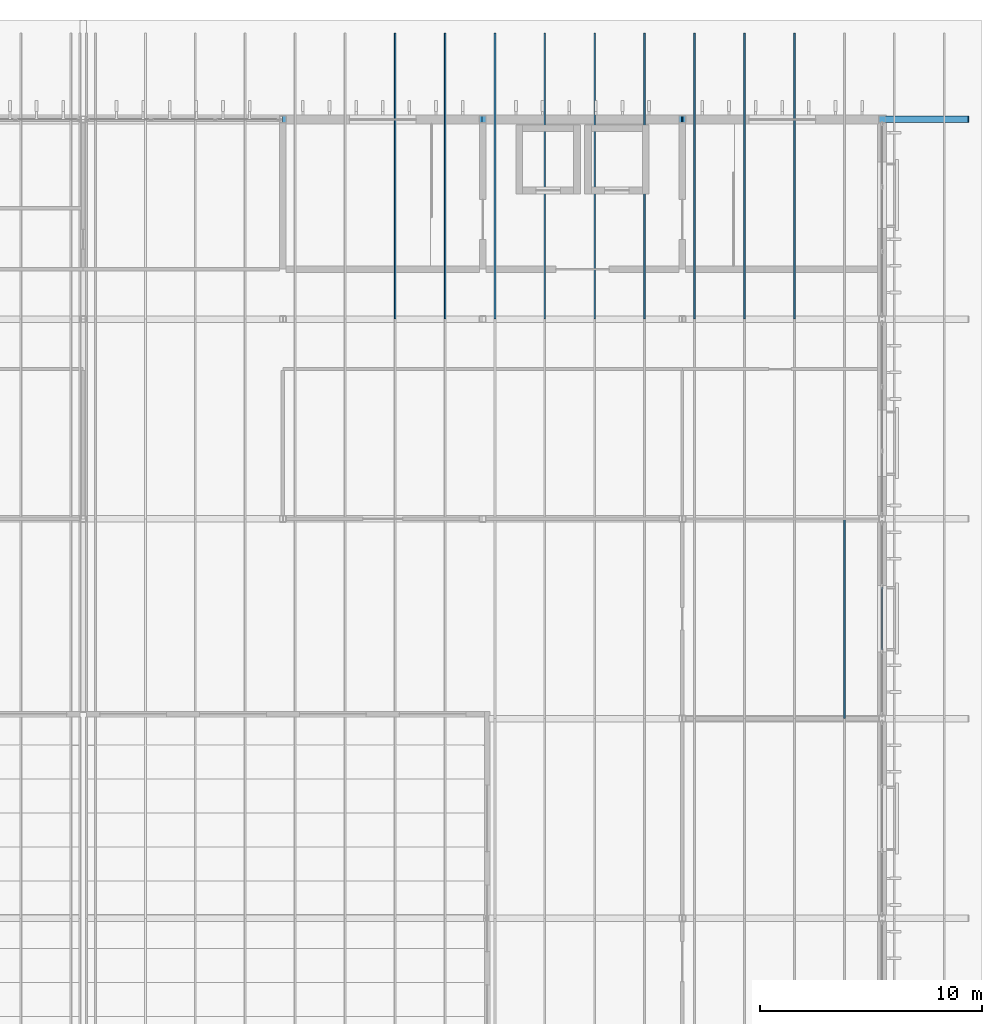
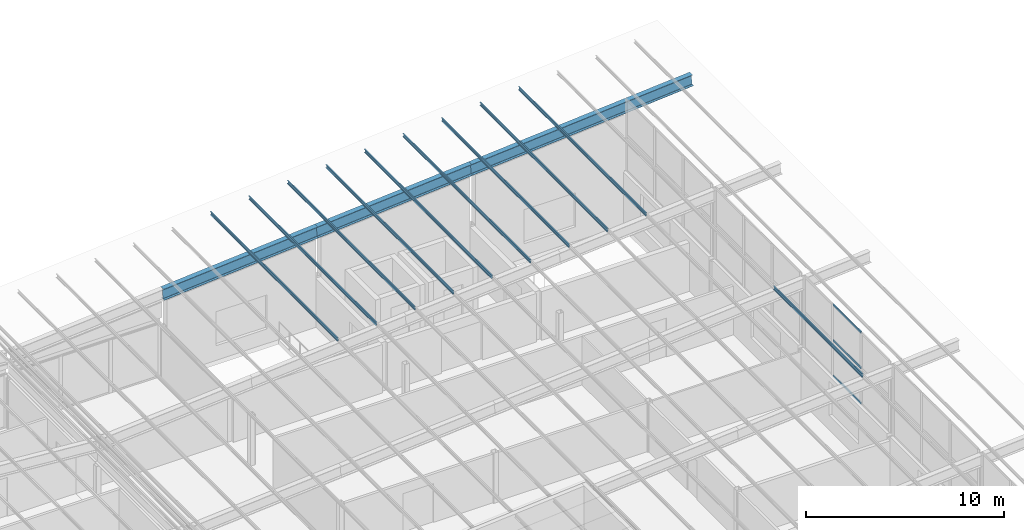
# One storey, part 59 of 85: 16 members, 1 element without a shape of its own.
"""IFC4 building model written with IfcOpenShell, lengths in metres."""

from ifc_helpers import new_model, si_unit, direction, frame, origin, origin_2d, place, context, subcontext, project, spatial, polyline, hollow_rectangle, i_section, outline, extrude, material, layer, layer_set, material_profile, profile_set, type_object, element, aggregate, save


model = new_model("IFC4")

# Units and contexts
model_context = context("Model", 3, precision=1e-05, world=origin(), true_north=direction((0.0, 1.0)))
body_context = subcontext(model_context, "Body", "Model", "MODEL_VIEW")
ifc_project = project(units=[si_unit("LENGTHUNIT", "METRE"), si_unit("AREAUNIT", "SQUARE_METRE"), si_unit("VOLUMEUNIT", "CUBIC_METRE"), si_unit("PLANEANGLEUNIT", "RADIAN"), si_unit("MASSUNIT", "GRAM", prefix="KILO")], contexts=[model_context])

# Site, building, storey
site_placement = place(None, origin())
site = spatial("IfcSite", under=ifc_project, at=site_placement, CompositionType="ELEMENT")
building_placement = place(site_placement, origin())
building = spatial("IfcBuilding", under=site, at=building_placement, Name="Opaline Strait Convention Centre", CompositionType="ELEMENT")
storey_placement = place(building_placement, frame((0.0, 0.0, 17.0)))
storey = spatial("IfcBuildingStorey", under=building, at=storey_placement, Name="L03", CompositionType="ELEMENT", Elevation=17.0)

# Curtain wall, members
ifc_material_1 = material(Name="Aluminium framed double glazing", Category="aluminium")
ifc_layer = layer(ifc_material_1, 0.199951171875)
ifc_layer_set = layer_set([ifc_layer], Name="Aluminium framed double glazing")
curtain_wall_type = type_object("IfcCurtainWallType", Name="Curtain wall 3000 module unitised", PredefinedType="NOTDEFINED", material=ifc_layer_set)
curtain_wall_placement = place(storey_placement, origin())
curtain_wall = element("IfcCurtainWall", 1, at=curtain_wall_placement, inside=storey, type_object=curtain_wall_type, Name="Clerestory curtain wall E L03 41/T", PredefinedType="NOTDEFINED")
ifc_material_2 = material(Name="Aluminium alloy 6063", Category="aluminium")
ifc_material_profile_1 = material_profile(ifc_material_2, hollow_rectangle(XDim=0.06005859375, YDim=0.1201171875, WallThickness=0.0029296875, at=origin_2d()), Name="TRANSOM 60x120x3")
ifc_profile_set_1 = profile_set([ifc_material_profile_1], Name="Aluminium alloy 6063")
member_type_1 = type_object("IfcMemberType", Name="Curtain wall transom 60 x 120", PredefinedType="USERDEFINED", material=ifc_profile_set_1)
member_1_placement = place(storey_placement, frame((360.0, 156.080078125, 3.330078125), z_axis=(0.0, 1.0, 0.0), x_axis=(-1.0, 0.0, 0.0)))
member_1 = element("IfcMember", 2, at=member_1_placement, type_object=member_type_1, Name="MCWR1 transom 2.1", ObjectType="TRANSOM", PredefinedType="USERDEFINED", context=body_context, shape_type="SweptSolid", body=[
    extrude(hollow_rectangle(XDim=0.06005859375, YDim=0.1201171875, WallThickness=0.0029296875, at=origin_2d()), origin(), (0.0, 0.0, 1.0), 2.83984375),
])
member_2_placement = place(storey_placement, frame((360.0, 156.080078125, 5.51806640625), z_axis=(0.0, 1.0, 0.0), x_axis=(-1.0, 0.0, 0.0)))
member_2 = element("IfcMember", 3, at=member_2_placement, type_object=member_type_1, Name="MCWR1 transom 2.2", ObjectType="TRANSOM", PredefinedType="USERDEFINED", context=body_context, shape_type="SweptSolid", body=[
    extrude(hollow_rectangle(XDim=0.06005859375, YDim=0.1201171875, WallThickness=0.0029296875, at=origin_2d()), origin(), (0.0, 0.0, 1.0), 2.83984375),
])
member_3_placement = place(storey_placement, frame((360.0, 156.080078125, 7.7060546875), z_axis=(0.0, 1.0, 0.0), x_axis=(-1.0, 0.0, 0.0)))
member_3 = element("IfcMember", 4, at=member_3_placement, type_object=member_type_1, Name="MCWR1 transom 2.3", ObjectType="TRANSOM", PredefinedType="USERDEFINED", context=body_context, shape_type="SweptSolid", body=[
    extrude(hollow_rectangle(XDim=0.06005859375, YDim=0.1201171875, WallThickness=0.0029296875, at=origin_2d()), origin(), (0.0, 0.0, 1.0), 2.83984375),
])
aggregate(curtain_wall, [member_1, member_2, member_3])

# Members
ifc_material_3 = material(Name="Steel Q355B", Category="steel")
ifc_material_profile_2 = material_profile(ifc_material_3, outline(polyline([(-0.034912109375, -0.10009765625), (0.034912109375, -0.10009765625), (0.034912109375, -0.080078125), (0.032470703125, -0.080078125), (0.032470703125, -0.097412109375), (-0.032470703125, -0.097412109375), (-0.032470703125, 0.097412109375), (0.032470703125, 0.097412109375), (0.032470703125, 0.080078125), (0.034912109375, 0.080078125), (0.034912109375, 0.10009765625), (-0.034912109375, 0.10009765625), (-0.034912109375, -0.10009765625)])), Name="C 200x70x20x2.5")
ifc_profile_set_2 = profile_set([ifc_material_profile_2], Name="Steel Q355B")
member_type_2 = type_object("IfcMemberType", Name="Roof purlin C 200x70x20x2.5", PredefinedType="PURLIN", material=ifc_profile_set_2)
for number, where, z_axis, x_axis, name in (
    (5, (338.050048828125, 171.0, 5.908203125), (0.0, 1.0, 0.0), (-0.996917333733, 0.0, 0.078459095728), "MRP1 purlin E wing 290"),
    (6, (340.300048828125, 171.0, 6.085205078125), (0.0, 1.0, 0.0), (-0.996917333733, 0.0, 0.078459095728), "MRP1 purlin E wing 300"),
    (7, (342.550048828125, 171.0, 6.262451171875), (0.0, 1.0, 0.0), (-0.996917333733, 0.0, 0.078459095728), "MRP1 purlin E wing 310"),
    (8, (344.800048828125, 171.0, 6.439453125), (0.0, 1.0, 0.0), (-0.996917333733, 0.0, 0.078459095728), "MRP1 purlin E wing 320"),
    (9, (347.050048828125, 171.0, 6.616455078125), (0.0, 1.0, 0.0), (-0.996917333733, 0.0, 0.078459095728), "MRP1 purlin E wing 330"),
    (10, (349.300048828125, 171.0, 6.793701171875), (0.0, 1.0, 0.0), (-0.996917333733, 0.0, 0.078459095728), "MRP1 purlin E wing 340"),
    (11, (351.550048828125, 171.0, 6.970703125), (0.0, 1.0, 0.0), (-0.996917333733, 0.0, 0.078459095728), "MRP1 purlin E wing 350"),
    (12, (353.800048828125, 171.0, 7.147705078125), (0.0, 1.0, 0.0), (-0.996917333733, 0.0, 0.078459095728), "MRP1 purlin E wing 360"),
    (13, (356.050048828125, 171.0, 7.324951171875), (0.0, 1.0, 0.0), (-0.996917333733, 0.0, 0.078459095728), "MRP1 purlin E wing 370"),
):
    element("IfcMember", number, at=place(storey_placement, frame(where, z_axis=z_axis, x_axis=x_axis)), inside=storey, type_object=member_type_2, Name=name, PredefinedType="PURLIN", context=body_context, shape_type="SweptSolid", body=[
        extrude(outline(polyline([(-0.034912109375, -0.10009765625), (0.034912109375, -0.10009765625), (0.034912109375, -0.080078125), (0.032470703125, -0.080078125), (0.032470703125, -0.097412109375), (-0.032470703125, -0.097412109375), (-0.032470703125, 0.097412109375), (0.032470703125, 0.097412109375), (0.032470703125, 0.080078125), (0.034912109375, 0.080078125), (0.034912109375, 0.10009765625), (-0.034912109375, 0.10009765625), (-0.034912109375, -0.10009765625)])), origin(), (0.0, 0.0, 1.0), 12.89990234375),
    ])
member_4_placement = place(storey_placement, frame((358.300048828125, 153.0, 7.501953125), z_axis=(0.0, 1.0, 0.0), x_axis=(-0.996917333733, 0.0, 0.078459095728)))
element("IfcMember", 14, at=member_4_placement, inside=storey, type_object=member_type_2, Name="MRP1 purlin E wing 378", PredefinedType="PURLIN", context=body_context, shape_type="SweptSolid", body=[
    extrude(outline(polyline([(-0.034912109375, -0.10009765625), (0.034912109375, -0.10009765625), (0.034912109375, -0.080078125), (0.032470703125, -0.080078125), (0.032470703125, -0.097412109375), (-0.032470703125, -0.097412109375), (-0.032470703125, 0.097412109375), (0.032470703125, 0.097412109375), (0.032470703125, 0.080078125), (0.034912109375, 0.080078125), (0.034912109375, 0.10009765625), (-0.034912109375, 0.10009765625), (-0.034912109375, -0.10009765625)])), origin(), (0.0, 0.0, 1.0), 9.0),
])
ifc_material_profile_3 = material_profile(ifc_material_3, i_section(OverallWidth=0.300048828125, OverallDepth=0.699951171875, WebThickness=0.012939453125, FlangeThickness=0.02392578125, FilletRadius=0.01806640625, at=origin_2d()), Name="HN 700x300x13x24")
ifc_profile_set_3 = profile_set([ifc_material_profile_3], Name="Steel Q355B")
member_type_3 = type_object("IfcMemberType", Name="Roof rafter HN 700x300x13x24", PredefinedType="RAFTER", material=ifc_profile_set_3)
for number, where, z_axis, x_axis, name in (
    (15, (333.0, 180.0, 5.059326171875), (0.99691576767, 0.0, 0.07847899191), (0.0, 1.0, 0.0), "MRR1 rafter y 180"),
    (16, (342.0, 180.0, 5.767822265625), (0.996917883079, 0.0, 0.078452115311), (0.0, 1.0, 0.0), "MRR1 rafter y 180"),
):
    element("IfcMember", number, at=place(storey_placement, frame(where, z_axis=z_axis, x_axis=x_axis)), inside=storey, type_object=member_type_3, Name=name, PredefinedType="RAFTER", context=body_context, shape_type="SweptSolid", body=[
        extrude(i_section(OverallWidth=0.300048828125, OverallDepth=0.699951171875, WebThickness=0.012939453125, FlangeThickness=0.02392578125, FilletRadius=0.01806640625, at=origin_2d()), origin(), (0.0, 0.0, 1.0), 9.02783203125),
    ])
member_5_placement = place(storey_placement, frame((351.0, 180.0, 6.47607421875), z_axis=(0.996917984192, 0.0, 0.07845083043), x_axis=(0.0, 1.0, 0.0)))
element("IfcMember", 17, at=member_5_placement, inside=storey, type_object=member_type_3, Name="MRR1 rafter y 180", PredefinedType="RAFTER", context=body_context, shape_type="SweptSolid", body=[
    extrude(i_section(OverallWidth=0.300048828125, OverallDepth=0.699951171875, WebThickness=0.012939453125, FlangeThickness=0.02392578125, FilletRadius=0.01806640625, at=origin_2d()), origin(), (0.0, 0.0, 1.0), 12.939697265625),
])

save(model, "model.ifc")
